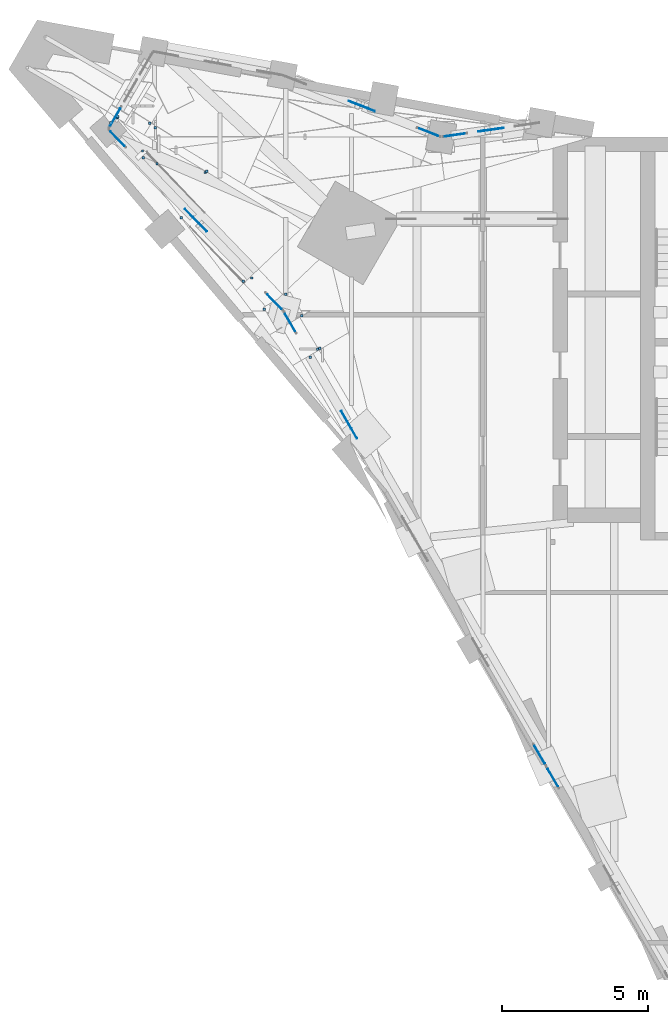
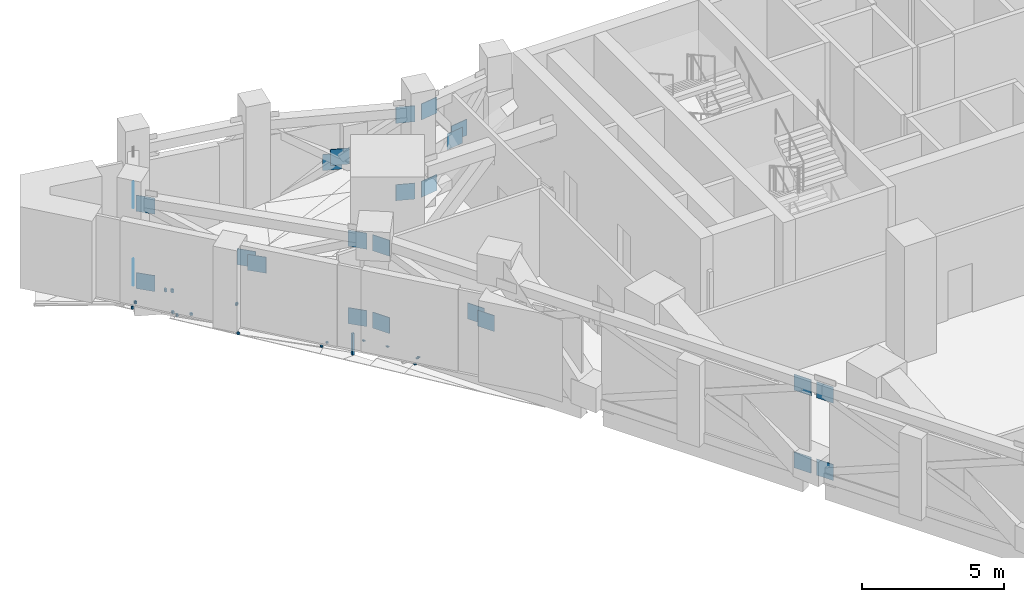
# One storey, part 18 of 22: 44 discrete accessories.
"""IFC4 building model written with IfcOpenShell, lengths in metres."""

from ifc_helpers import new_model, si_unit, direction, frame, origin, origin_2d, place, context, subcontext, project, spatial, rectangle, extrude, material, type_object, element, save


model = new_model("IFC4")

# Units and contexts
model_context = context("Model", 3, precision=1e-05, world=origin(), true_north=direction((0.0, 1.0)))
body_context = subcontext(model_context, "Body", "Model", "MODEL_VIEW")
ifc_project = project(units=[si_unit("LENGTHUNIT", "METRE"), si_unit("AREAUNIT", "SQUARE_METRE"), si_unit("VOLUMEUNIT", "CUBIC_METRE"), si_unit("PLANEANGLEUNIT", "RADIAN"), si_unit("MASSUNIT", "GRAM", prefix="KILO")], contexts=[model_context])

# Site, building, storey
site_placement = place(None, origin())
site = spatial("IfcSite", under=ifc_project, at=site_placement, CompositionType="ELEMENT")
building_placement = place(site_placement, origin())
building = spatial("IfcBuilding", under=site, at=building_placement, Name="Calabash Gate Tower", CompositionType="ELEMENT")
storey_placement = place(building_placement, frame((0.0, 0.0, 191.39990234375)))
storey = spatial("IfcBuildingStorey", under=building, at=storey_placement, Name="L45", CompositionType="ELEMENT", Elevation=191.39990234375)

# Discrete accessories
ifc_material_1 = material(Name="Steel ASTM A572 Gr50", Category="steel")
discrete_accessory_type_1 = type_object("IfcDiscreteAccessoryType", Name="Connection plate 25", PredefinedType="BRACKET", material=ifc_material_1)
for number, where, z_axis, x_axis, name in (
    (1, (-18.958251953125, 19.12109375, 3.3798828125), (0.0, 0.0, 1.0), (-0.989526280364, -0.144352833256, 0.0), "Connection plate Belt diagonal L45 68 end"),
    (2, (-17.62646484375, 19.3154296875, 1.84765625), (0.0, 0.0, 1.0), (-0.989526295481, -0.144352729633, 0.0), "Connection plate Belt diagonal (split) L45 69 half 1 of 2 end"),
    (3, (-17.815185546875, 19.287841796875, 1.5947265625), (0.0, 0.0, 1.0), (-0.989526295481, -0.144352729633, 0.0), "Connection plate Belt diagonal (split) L45 70 half 2 of 2 start"),
    (4, (-18.958251953125, 19.12109375, 0.0625), (0.0, 0.0, 1.0), (-0.989526295481, -0.144352729633, 0.0), "Connection plate Belt diagonal (split) L45 70 half 2 of 2 end"),
    (5, (-19.855224609375, 19.21875, 0.0625), (0.0, 0.0, 1.0), (-0.931826716754, 0.362903527047, 0.0), "Connection plate Belt diagonal L45 73 start"),
    (6, (-19.855224609375, 19.21875, 3.3798828125), (0.0, 0.0, 1.0), (-0.931826780093, 0.362903364413, 0.0), "Connection plate Belt diagonal (split) L45 74 half 1 of 2 start"),
    (7, (-22.020263671875, 20.06201171875, 1.81298828125), (0.0, 0.0, 1.0), (-0.931826780093, 0.362903364413, 0.0), "Connection plate Belt diagonal (split) L45 74 half 1 of 2 end"),
    (8, (-22.2744140625, 20.1611328125, 1.62939453125), (0.0, 0.0, 1.0), (-0.931826780093, 0.362903364413, 0.0), "Connection plate Belt diagonal (split) L45 75 half 2 of 2 start"),
    (9, (-30.588623046875, 19.736328125, 3.3798828125), (0.0, 0.0, 1.0), (-0.500000166265, -0.866025307791, 0.0), "Connection plate Belt diagonal L45 83 end"),
    (10, (-30.588623046875, 19.736328125, 0.0625), (0.0, 0.0, 1.0), (-0.500000015115, -0.866025395058, 0.0), "Connection plate Belt diagonal (split) L45 85 half 2 of 2 end"),
    (11, (-30.514892578125, 18.997802734375, 0.0625), (0.0, 0.0, 1.0), (0.693789722154, -0.720177631861, 0.0), "Connection plate Belt diagonal L45 88 start"),
    (12, (-25.140869140625, 13.41943359375, 3.3798828125), (0.0, 0.0, 1.0), (0.693789722154, -0.720177631861, 0.0), "Connection plate Belt diagonal L45 88 end"),
    (13, (-30.514892578125, 18.997802734375, 3.3798828125), (0.0, 0.0, 1.0), (0.693789772432, -0.720177583425, 0.0), "Connection plate Belt diagonal (split) L45 89 half 1 of 2 start"),
    (14, (-27.962158203125, 16.347900390625, 1.80419921875), (0.0, 0.0, 1.0), (0.693789772432, -0.720177583425, 0.0), "Connection plate Belt diagonal (split) L45 89 half 1 of 2 end"),
    (15, (-27.693603515625, 16.069091796875, 1.63818359375), (0.0, 0.0, 1.0), (0.693789772432, -0.720177583425, 0.0), "Connection plate Belt diagonal (split) L45 90 half 2 of 2 start"),
    (16, (-25.140869140625, 13.41943359375, 0.0625), (0.0, 0.0, 1.0), (0.693789772432, -0.720177583425, 0.0), "Connection plate Belt diagonal (split) L45 90 half 2 of 2 end"),
    (17, (-24.599365234375, 12.698486328125, 0.0625), (0.0, 0.0, 1.0), (0.49999996977, -0.866025421238, 0.0), "Connection plate Belt diagonal L45 93 start"),
    (18, (-24.599365234375, 12.698486328125, 3.3798828125), (0.0, 0.0, 1.0), (0.49999996977, -0.866025421238, 0.0), "Connection plate Belt diagonal (split) L45 94 half 1 of 2 start"),
    (19, (-22.676513671875, 9.368408203125, 1.8037109375), (0.0, 0.0, 1.0), (0.49999996977, -0.866025421238, 0.0), "Connection plate Belt diagonal (split) L45 94 half 1 of 2 end"),
    (20, (-22.4755859375, 9.020263671875, 1.638671875), (0.0, 0.0, 1.0), (0.49999984885, -0.866025491051, 0.0), "Connection plate Belt diagonal (split) L45 95 half 2 of 2 start"),
    (21, (-16.052978515625, -2.10400390625, 3.3798828125), (0.0, 0.0, 1.0), (0.499999984885, -0.866025412511, 0.0), "Connection plate Belt diagonal L45 98 end"),
    (22, (-16.052978515625, -2.10400390625, 0.0625), (0.0, 0.0, 1.0), (0.499999954655, -0.866025429964, 0.0), "Connection plate Belt diagonal (split) L45 100 half 2 of 2 end"),
    (23, (-15.60302734375, -2.883544921875, 0.0625), (0.0, 0.0, 1.0), (0.49999993954, -0.866025438691, 0.0), "Connection plate Belt diagonal L45 103 start"),
    (24, (-15.60302734375, -2.883544921875, 3.3798828125), (0.0, 0.0, 1.0), (0.49999984885, -0.866025491051, 0.0), "Connection plate Belt diagonal (split) L45 104 half 1 of 2 start"),
):
    element("IfcDiscreteAccessory", number, at=place(storey_placement, frame(where, z_axis=z_axis, x_axis=x_axis)), inside=storey, type_object=discrete_accessory_type_1, Name=name, PredefinedType="BRACKET", context=body_context, shape_type="SweptSolid", body=[
        extrude(rectangle(XDim=0.687744140625, YDim=0.02490234375, at=origin_2d()), origin(), (0.0, 0.0, 1.0), 0.687744140625),
    ])
ifc_material_2 = material(Name="Stainless steel 316 bracket", Category="steel")
discrete_accessory_type_2 = type_object("IfcDiscreteAccessoryType", Name="Soffit bracket 80x80x120", PredefinedType="BRACKET", material=ifc_material_2)
discrete_accessory_1_placement = place(storey_placement, frame((-27.505615234375, 17.837158203125, -0.9375), z_axis=(0.0, 0.0, 1.0), x_axis=(1.0, 0.0, 0.0)))
element("IfcDiscreteAccessory", 25, at=discrete_accessory_1_placement, inside=storey, type_object=discrete_accessory_type_2, Name="Soffit bracket Z4 NW SOF-Z4-NW-01", PredefinedType="BRACKET", context=body_context, shape_type="SweptSolid", body=[
    extrude(rectangle(XDim=0.080078125, YDim=0.080078125, at=origin_2d()), origin(), (0.0, 0.0, 1.0), 0.067626953125),
])
discrete_accessory_2_placement = place(storey_placement, frame((-29.62451171875, 18.340576171875, -0.975341796875), z_axis=(0.0, 0.0, 1.0), x_axis=(1.0, 0.0, 0.0)))
element("IfcDiscreteAccessory", 26, at=discrete_accessory_2_placement, inside=storey, type_object=discrete_accessory_type_2, Name="Soffit bracket Z4 NW SOF-Z4-NW-07", PredefinedType="BRACKET", context=body_context, shape_type="SweptSolid", body=[
    extrude(rectangle(XDim=0.080078125, YDim=0.080078125, at=origin_2d()), origin(), (0.0, 0.0, 1.0), 0.10546875),
])
discrete_accessory_3_placement = place(storey_placement, frame((-23.910888671875, 11.510986328125, -0.898681640625), z_axis=(0.0, 0.0, 1.0), x_axis=(1.0, 0.0, 0.0)))
element("IfcDiscreteAccessory", 27, at=discrete_accessory_3_placement, inside=storey, type_object=discrete_accessory_type_2, Name="Soffit bracket Z4 NW SOF-Z4-NW-08", PredefinedType="BRACKET", context=body_context, shape_type="SweptSolid", body=[
    extrude(rectangle(XDim=0.080078125, YDim=0.080078125, at=origin_2d()), origin(), (0.0, 0.0, 1.0), 0.02880859375),
])
discrete_accessory_4_placement = place(storey_placement, frame((-24.750732421875, 13.67333984375, -0.904541015625), z_axis=(0.0, 0.0, 1.0), x_axis=(1.0, 0.0, 0.0)))
element("IfcDiscreteAccessory", 28, at=discrete_accessory_4_placement, inside=storey, type_object=discrete_accessory_type_2, Name="Soffit bracket Z4 NW SOF-Z4-NW-11", PredefinedType="BRACKET", context=body_context, shape_type="SweptSolid", body=[
    extrude(rectangle(XDim=0.080078125, YDim=0.080078125, at=origin_2d()), origin(), (0.0, 0.0, 1.0), 0.03466796875),
])
discrete_accessory_5_placement = place(storey_placement, frame((-27.457275390625, 17.88671875, -0.936279296875), z_axis=(0.0, 0.0, 1.0), x_axis=(1.0, 0.0, 0.0)))
element("IfcDiscreteAccessory", 29, at=discrete_accessory_5_placement, inside=storey, type_object=discrete_accessory_type_2, Name="Soffit bracket Z4 NW SOF-Z4-NW-13", PredefinedType="BRACKET", context=body_context, shape_type="SweptSolid", body=[
    extrude(rectangle(XDim=0.080078125, YDim=0.080078125, at=origin_2d()), origin(), (0.0, 0.0, 1.0), 0.06640625),
])
discrete_accessory_6_placement = place(storey_placement, frame((-30.5146484375, 19.70703125, -0.943359375), z_axis=(0.0, 0.0, 1.0), x_axis=(1.0, 0.0, 0.0)))
element("IfcDiscreteAccessory", 30, at=discrete_accessory_6_placement, inside=storey, type_object=discrete_accessory_type_2, Name="Soffit bracket Z4 NW SOF-Z4-NW-15", PredefinedType="BRACKET", context=body_context, shape_type="SweptSolid", body=[
    extrude(rectangle(XDim=0.080078125, YDim=0.080078125, at=origin_2d()), origin(), (0.0, 0.0, 1.0), 0.073486328125),
])
discrete_accessory_7_placement = place(storey_placement, frame((-23.583251953125, 11.822998046875, -0.89111328125), z_axis=(0.0, 0.0, 1.0), x_axis=(1.0, 0.0, 0.0)))
element("IfcDiscreteAccessory", 31, at=discrete_accessory_7_placement, inside=storey, type_object=discrete_accessory_type_2, Name="Soffit bracket Z4 NW SOF-Z4-NW-18", PredefinedType="BRACKET", context=body_context, shape_type="SweptSolid", body=[
    extrude(rectangle(XDim=0.080078125, YDim=0.080078125, at=origin_2d()), origin(), (0.0, 0.0, 1.0), 0.021240234375),
])
discrete_accessory_8_placement = place(storey_placement, frame((-23.66259765625, 11.787841796875, -0.892578125), z_axis=(0.0, 0.0, 1.0), x_axis=(1.0, 0.0, 0.0)))
element("IfcDiscreteAccessory", 32, at=discrete_accessory_8_placement, inside=storey, type_object=discrete_accessory_type_2, Name="Soffit bracket Z4 NW SOF-Z4-NW-21", PredefinedType="BRACKET", context=body_context, shape_type="SweptSolid", body=[
    extrude(rectangle(XDim=0.080078125, YDim=0.080078125, at=origin_2d()), origin(), (0.0, 0.0, 1.0), 0.022705078125),
])
discrete_accessory_9_placement = place(storey_placement, frame((-25.914306640625, 14.2265625, -0.924072265625), z_axis=(0.0, 0.0, 1.0), x_axis=(1.0, 0.0, 0.0)))
element("IfcDiscreteAccessory", 33, at=discrete_accessory_9_placement, inside=storey, type_object=discrete_accessory_type_2, Name="Soffit bracket Z4 NW SOF-Z4-NW-23", PredefinedType="BRACKET", context=body_context, shape_type="SweptSolid", body=[
    extrude(rectangle(XDim=0.080078125, YDim=0.080078125, at=origin_2d()), origin(), (0.0, 0.0, 1.0), 0.05419921875),
])
discrete_accessory_10_placement = place(storey_placement, frame((-28.322998046875, 16.291748046875, -0.960205078125), z_axis=(0.0, 0.0, 1.0), x_axis=(1.0, 0.0, 0.0)))
element("IfcDiscreteAccessory", 34, at=discrete_accessory_10_placement, inside=storey, type_object=discrete_accessory_type_2, Name="Soffit bracket Z4 NW SOF-Z4-NW-30", PredefinedType="BRACKET", context=body_context, shape_type="SweptSolid", body=[
    extrude(rectangle(XDim=0.080078125, YDim=0.080078125, at=origin_2d()), origin(), (0.0, 0.0, 1.0), 0.09033203125),
])
discrete_accessory_11_placement = place(storey_placement, frame((-25.4912109375, 13.151123046875, -0.9208984375), z_axis=(0.0, 0.0, 1.0), x_axis=(1.0, 0.0, 0.0)))
element("IfcDiscreteAccessory", 35, at=discrete_accessory_11_placement, inside=storey, type_object=discrete_accessory_type_2, Name="Soffit bracket Z4 NW SOF-Z4-NW-34", PredefinedType="BRACKET", context=body_context, shape_type="SweptSolid", body=[
    extrude(rectangle(XDim=0.080078125, YDim=0.080078125, at=origin_2d()), origin(), (0.0, 0.0, 1.0), 0.923095703125),
])
discrete_accessory_12_placement = place(storey_placement, frame((-29.41015625, 19.523193359375, -0.7099609375), z_axis=(0.0, 0.0, 1.0), x_axis=(1.0, 0.0, 0.0)))
element("IfcDiscreteAccessory", 36, at=discrete_accessory_12_placement, inside=storey, type_object=discrete_accessory_type_2, Name="Soffit bracket Z4 NW SOF-Z4-NW-35", PredefinedType="BRACKET", context=body_context, shape_type="SweptSolid", body=[
    extrude(rectangle(XDim=0.080078125, YDim=0.080078125, at=origin_2d()), origin(), (0.0, 0.0, 1.0), 0.1416015625),
])
discrete_accessory_13_placement = place(storey_placement, frame((-29.216552734375, 19.37255859375, -0.72509765625), z_axis=(0.0, 0.0, 1.0), x_axis=(1.0, 0.0, 0.0)))
element("IfcDiscreteAccessory", 37, at=discrete_accessory_13_placement, inside=storey, type_object=discrete_accessory_type_2, Name="Soffit bracket Z4 NW SOF-Z4-NW-37", PredefinedType="BRACKET", context=body_context, shape_type="SweptSolid", body=[
    extrude(rectangle(XDim=0.080078125, YDim=0.080078125, at=origin_2d()), origin(), (0.0, 0.0, 1.0), 0.156982421875),
])
discrete_accessory_14_placement = place(storey_placement, frame((-30.493408203125, 19.75341796875, -0.985107421875), z_axis=(0.0, 0.0, 1.0), x_axis=(1.0, 0.0, 0.0)))
element("IfcDiscreteAccessory", 38, at=discrete_accessory_14_placement, inside=storey, type_object=discrete_accessory_type_2, Name="Soffit bracket Z4 NW SOF-Z4-NW-39", PredefinedType="BRACKET", context=body_context, shape_type="SweptSolid", body=[
    extrude(rectangle(XDim=0.080078125, YDim=0.080078125, at=origin_2d()), origin(), (0.0, 0.0, 1.0), 0.115234375),
])
discrete_accessory_15_placement = place(storey_placement, frame((-30.5087890625, 19.751953125, -0.97021484375), z_axis=(0.0, 0.0, 1.0), x_axis=(1.0, 0.0, 0.0)))
element("IfcDiscreteAccessory", 39, at=discrete_accessory_15_placement, inside=storey, type_object=discrete_accessory_type_2, Name="Soffit bracket Z4 NW SOF-Z4-NW-40", PredefinedType="BRACKET", context=body_context, shape_type="SweptSolid", body=[
    extrude(rectangle(XDim=0.080078125, YDim=0.080078125, at=origin_2d()), origin(), (0.0, 0.0, 1.0), 0.100341796875),
])
discrete_accessory_16_placement = place(storey_placement, frame((-30.7392578125, 19.5419921875, -0.99072265625), z_axis=(0.0, 0.0, 1.0), x_axis=(1.0, 0.0, 0.0)))
element("IfcDiscreteAccessory", 40, at=discrete_accessory_16_placement, inside=storey, type_object=discrete_accessory_type_2, Name="Soffit bracket Z4 NW SOF-Z4-NW-43", PredefinedType="BRACKET", context=body_context, shape_type="SweptSolid", body=[
    extrude(rectangle(XDim=0.080078125, YDim=0.080078125, at=origin_2d()), origin(), (0.0, 0.0, 1.0), 0.120849609375),
])
discrete_accessory_17_placement = place(storey_placement, frame((-29.156494140625, 18.142822265625, -0.96728515625), z_axis=(0.0, 0.0, 1.0), x_axis=(1.0, 0.0, 0.0)))
element("IfcDiscreteAccessory", 41, at=discrete_accessory_17_placement, inside=storey, type_object=discrete_accessory_type_2, Name="Soffit bracket Z4 NW SOF-Z4-NW-44", PredefinedType="BRACKET", context=body_context, shape_type="SweptSolid", body=[
    extrude(rectangle(XDim=0.080078125, YDim=0.080078125, at=origin_2d()), origin(), (0.0, 0.0, 1.0), 0.097412109375),
])
discrete_accessory_18_placement = place(storey_placement, frame((-29.658203125, 18.576171875, -0.974853515625), z_axis=(0.0, 0.0, 1.0), x_axis=(1.0, 0.0, 0.0)))
element("IfcDiscreteAccessory", 42, at=discrete_accessory_18_placement, inside=storey, type_object=discrete_accessory_type_2, Name="Soffit bracket Z4 NW SOF-Z4-NW-45", PredefinedType="BRACKET", context=body_context, shape_type="SweptSolid", body=[
    extrude(rectangle(XDim=0.080078125, YDim=0.080078125, at=origin_2d()), origin(), (0.0, 0.0, 1.0), 0.10498046875),
])
discrete_accessory_19_placement = place(storey_placement, frame((-26.20361328125, 14.117431640625, -0.929931640625), z_axis=(0.0, 0.0, 1.0), x_axis=(1.0, 0.0, 0.0)))
element("IfcDiscreteAccessory", 43, at=discrete_accessory_19_placement, inside=storey, type_object=discrete_accessory_type_2, Name="Soffit bracket Z4 NW SOF-Z4-NW-46", PredefinedType="BRACKET", context=body_context, shape_type="SweptSolid", body=[
    extrude(rectangle(XDim=0.080078125, YDim=0.080078125, at=origin_2d()), origin(), (0.0, 0.0, 1.0), 0.06005859375),
])
discrete_accessory_20_placement = place(storey_placement, frame((-24.205810546875, 12.935791015625, -0.897705078125), z_axis=(0.0, 0.0, 1.0), x_axis=(1.0, 0.0, 0.0)))
element("IfcDiscreteAccessory", 44, at=discrete_accessory_20_placement, inside=storey, type_object=discrete_accessory_type_2, Name="Soffit bracket Z4 NW SOF-Z4-NW-49", PredefinedType="BRACKET", context=body_context, shape_type="SweptSolid", body=[
    extrude(rectangle(XDim=0.080078125, YDim=0.080078125, at=origin_2d()), origin(), (0.0, 0.0, 1.0), 0.02783203125),
])

save(model, "model.ifc")
